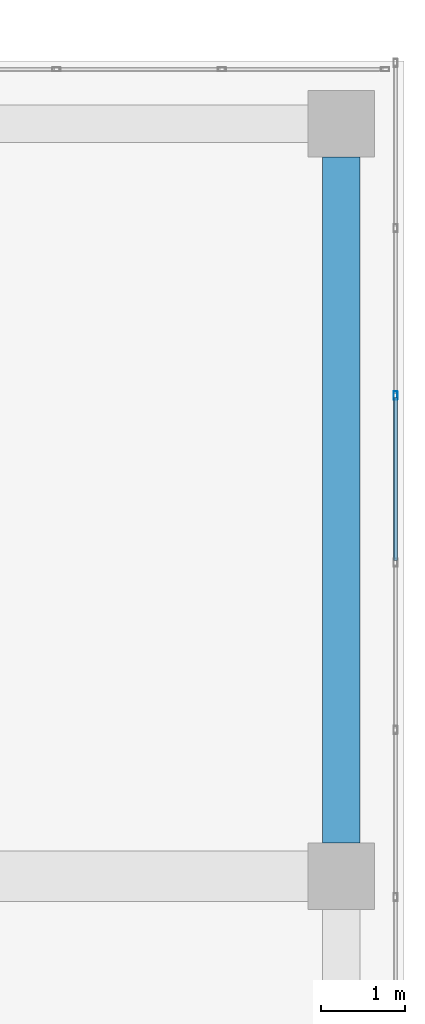
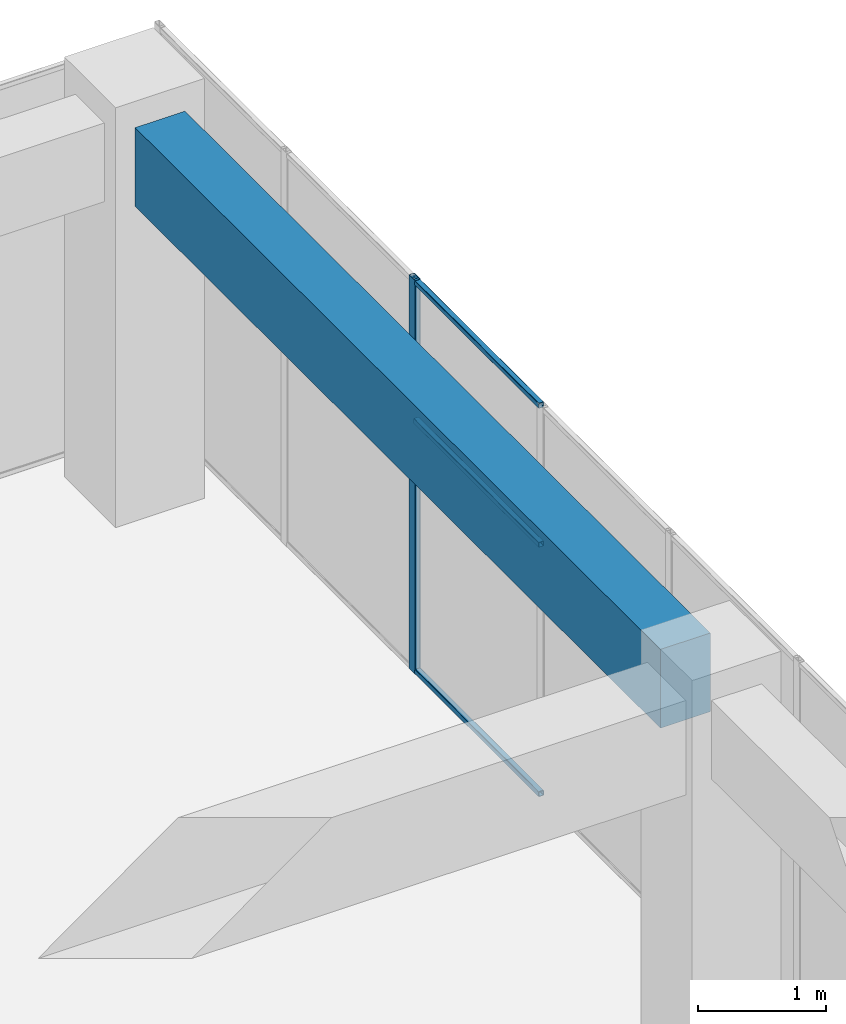
# One storey, part 45 of 65: 4 members, 1 beam, 1 element without a shape of its own.
"""IFC4 building model written with IfcOpenShell, lengths in metres."""

from ifc_helpers import new_model, si_unit, direction, frame, origin, origin_2d, place, context, subcontext, project, spatial, rectangle, hollow_rectangle, extrude, material, layer, layer_set, material_profile, profile_set, type_object, element, aggregate, save


model = new_model("IFC4")

# Units and contexts
model_context = context("Model", 3, precision=1e-05, world=origin(), true_north=direction((0.0, 1.0)))
body_context = subcontext(model_context, "Body", "Model", "MODEL_VIEW")
ifc_project = project(units=[si_unit("LENGTHUNIT", "METRE"), si_unit("AREAUNIT", "SQUARE_METRE"), si_unit("VOLUMEUNIT", "CUBIC_METRE"), si_unit("PLANEANGLEUNIT", "RADIAN"), si_unit("MASSUNIT", "GRAM", prefix="KILO")], contexts=[model_context])

# Site, building, storey
site_placement = place(None, origin())
site = spatial("IfcSite", under=ifc_project, at=site_placement, CompositionType="ELEMENT")
building_placement = place(site_placement, origin())
building = spatial("IfcBuilding", under=site, at=building_placement, Name="Tuart Plaza Theatre", CompositionType="ELEMENT")
storey_placement = place(building_placement, frame((0.0, 0.0, 9.5)))
storey = spatial("IfcBuildingStorey", under=building, at=storey_placement, Name="L02", CompositionType="ELEMENT", Elevation=9.5)

# Beam
ifc_material_1 = material(Name="Concrete N40 (40 MPa)", Category="concrete")
ifc_material_profile_1 = material_profile(ifc_material_1, rectangle(XDim=0.449951171875, YDim=0.75, at=origin_2d()), Name="BEAM 450x750 Concrete N40 (40 MPa)")
ifc_profile_set_1 = profile_set([ifc_material_profile_1], Name="Concrete N40 (40 MPa)")
beam_type = type_object("IfcBeamType", Name="BEAM 450x750 Concrete N40 (40 MPa)", PredefinedType="BEAM", material=ifc_profile_set_1)
beam_placement = place(storey_placement, frame((150.0, 83.39990234375, 3.375), z_axis=(0.0, 1.0, 0.0), x_axis=(-1.0, 0.0, 0.0)))
element("IfcBeam", 1, at=beam_placement, inside=storey, type_object=beam_type, Name="RB201", PredefinedType="BEAM", context=body_context, shape_type="SweptSolid", body=[
    extrude(rectangle(XDim=0.449951171875, YDim=0.75, at=origin_2d()), origin(), (0.0, 0.0, 1.0), 8.2001953125),
])

# Curtain wall, members
ifc_material_2 = material(Name="Aluminium and glass", Category="aluminium")
ifc_layer = layer(ifc_material_2, 0.10009765625)
ifc_layer_set = layer_set([ifc_layer], Name="CURTAIN WALL 2000 module")
curtain_wall_type = type_object("IfcCurtainWallType", Name="CURTAIN WALL 2000 module", PredefinedType="NOTDEFINED", material=ifc_layer_set)
curtain_wall_placement = place(storey_placement, origin())
curtain_wall = element("IfcCurtainWall", 2, at=curtain_wall_placement, inside=storey, type_object=curtain_wall_type, Name="CW69", PredefinedType="NOTDEFINED")
ifc_material_3 = material(Name="Aluminium 6063-T5", Category="aluminium")
ifc_material_profile_2 = material_profile(ifc_material_3, hollow_rectangle(XDim=0.050048828125, YDim=0.10009765625, WallThickness=0.00390625, InnerFilletRadius=0.00390625, OuterFilletRadius=0.008056640625, at=origin_2d()), Name="RHS 100x50x4")
ifc_profile_set_2 = profile_set([ifc_material_profile_2], Name="Aluminium 6063-T5")
member_type_1 = type_object("IfcMemberType", Name="MULLION RHS 100x50x4", PredefinedType="MULLION", material=ifc_profile_set_2)
member_1_placement = place(storey_placement, frame((150.64990234375, 88.75, 0.0), z_axis=(0.0, 0.0, 1.0), x_axis=(-1.0, 0.0, 0.0)))
member_1 = element("IfcMember", 3, at=member_1_placement, type_object=member_type_1, Name="CW69 mullion 20", PredefinedType="MULLION", context=body_context, shape_type="SweptSolid", body=[
    extrude(hollow_rectangle(XDim=0.050048828125, YDim=0.10009765625, WallThickness=0.00390625, InnerFilletRadius=0.00390625, OuterFilletRadius=0.008056640625, at=origin_2d()), origin(), (0.0, 0.0, 1.0), 3.75),
])
ifc_material_4 = material(Name="Aluminium 6063-T5", Category="aluminium")
ifc_material_profile_3 = material_profile(ifc_material_4, hollow_rectangle(XDim=0.050048828125, YDim=0.050048828125, WallThickness=0.00390625, InnerFilletRadius=0.00390625, OuterFilletRadius=0.008056640625, at=origin_2d()), Name="RHS 50x50x4")
ifc_profile_set_3 = profile_set([ifc_material_profile_3], Name="Aluminium 6063-T5")
member_type_2 = type_object("IfcMemberType", Name="TRANSOM RHS 50x50x4", PredefinedType="USERDEFINED", material=ifc_profile_set_3)
member_2_placement = place(storey_placement, frame((150.64990234375, 86.77490234375, 0.02490234375), z_axis=(0.0, 1.0, 0.0), x_axis=(-1.0, 0.0, 0.0)))
member_2 = element("IfcMember", 4, at=member_2_placement, type_object=member_type_2, Name="CW69 transom 19.1", ObjectType="TRANSOM", PredefinedType="USERDEFINED", context=body_context, shape_type="SweptSolid", body=[
    extrude(hollow_rectangle(XDim=0.050048828125, YDim=0.050048828125, WallThickness=0.00390625, InnerFilletRadius=0.00390625, OuterFilletRadius=0.008056640625, at=origin_2d()), origin(), (0.0, 0.0, 1.0), 1.9501953125),
])
member_3_placement = place(storey_placement, frame((150.64990234375, 86.77490234375, 2.39990234375), z_axis=(0.0, 1.0, 0.0), x_axis=(-1.0, 0.0, 0.0)))
member_3 = element("IfcMember", 5, at=member_3_placement, type_object=member_type_2, Name="CW69 transom 19.2", ObjectType="TRANSOM", PredefinedType="USERDEFINED", context=body_context, shape_type="SweptSolid", body=[
    extrude(hollow_rectangle(XDim=0.050048828125, YDim=0.050048828125, WallThickness=0.00390625, InnerFilletRadius=0.00390625, OuterFilletRadius=0.008056640625, at=origin_2d()), origin(), (0.0, 0.0, 1.0), 1.9501953125),
])
member_4_placement = place(storey_placement, frame((150.64990234375, 86.77490234375, 3.72509765625), z_axis=(0.0, 1.0, 0.0), x_axis=(-1.0, 0.0, 0.0)))
member_4 = element("IfcMember", 6, at=member_4_placement, type_object=member_type_2, Name="CW69 transom 19.3", ObjectType="TRANSOM", PredefinedType="USERDEFINED", context=body_context, shape_type="SweptSolid", body=[
    extrude(hollow_rectangle(XDim=0.050048828125, YDim=0.050048828125, WallThickness=0.00390625, InnerFilletRadius=0.00390625, OuterFilletRadius=0.008056640625, at=origin_2d()), origin(), (0.0, 0.0, 1.0), 1.9501953125),
])
aggregate(curtain_wall, [member_1, member_2, member_3, member_4])

save(model, "model.ifc")
